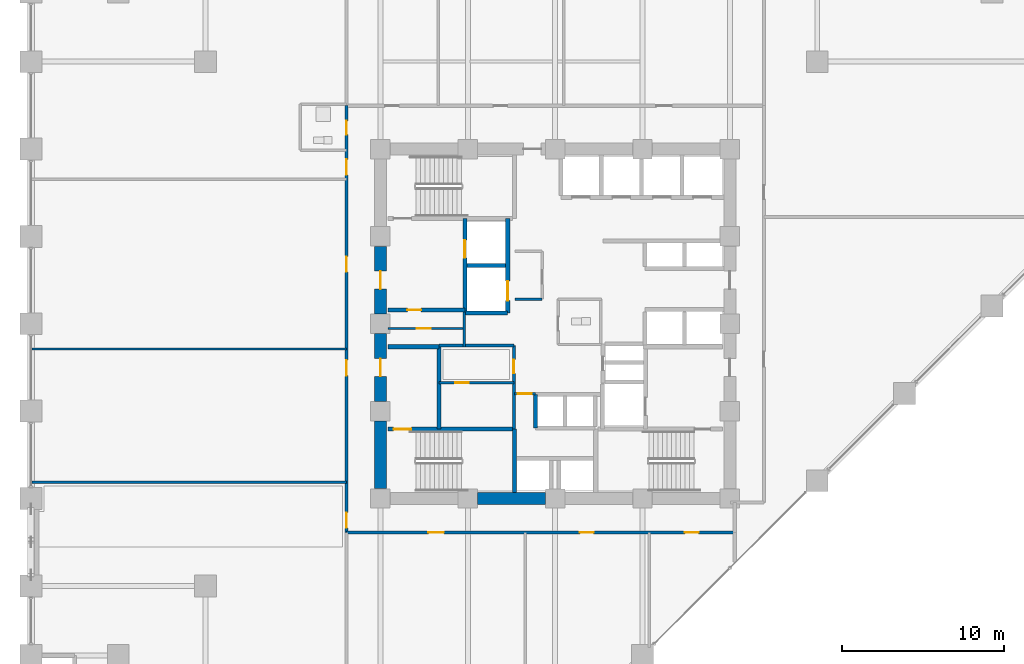
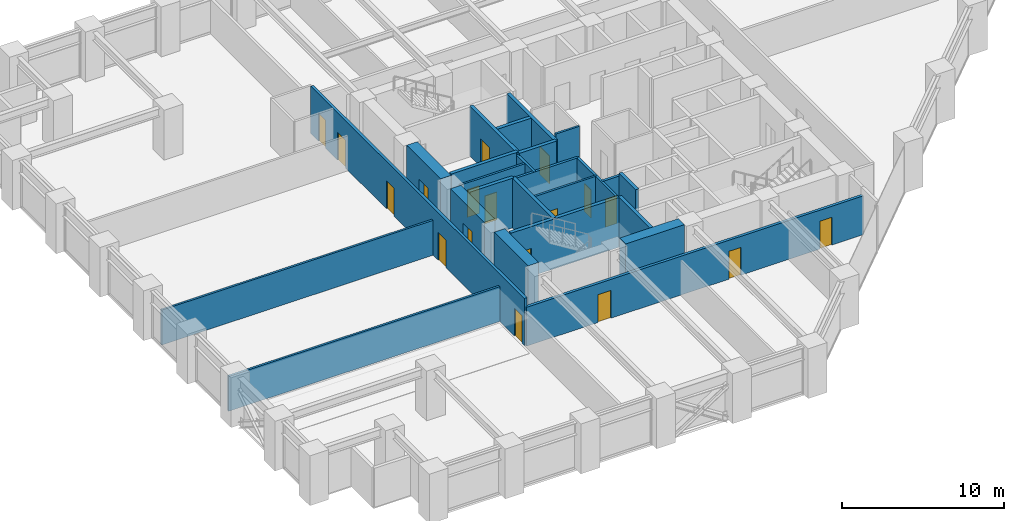
# One storey, part 20 of 25: 25 walls, 18 doors, 18 openings.
"""IFC4 building model written with IfcOpenShell, lengths in metres."""

import ifcopenshell
import ifcopenshell.guid

model = None  # the IFC model being written
_history = None  # IfcOwnerHistory: only IFC2X3 demands one
_inside = {}  # id of a spatial element -> (the spatial element, [elements in it])
_under = {}  # id of a project, library or spatial element -> (it, [spatial elements below it])
_declared = {}  # id of a project -> (the project, [libraries it declares])
_typed = {}  # id of a type object -> (the type object, [elements of that type])
_made_of = {}  # id of a material, layer set ... -> (it, [elements and type objects made of it])


def new_model(schema):
    """Start an empty IFC model of exactly this schema.

    Asked for "IFC4X3", IfcOpenShell would pick the latest addendum, in which some entities
    have other attributes; the version numbers below select the first issue.
    IFC2X3 requires an IfcOwnerHistory on every rooted entity: one is made here for all.
    """
    global model, _history
    if schema == "IFC4X3":
        model = ifcopenshell.file(schema_version=(4, 3, 0, 0))
    else:
        model = ifcopenshell.file(schema=schema)
    _inside.clear()
    _under.clear()
    _declared.clear()
    _typed.clear()
    _made_of.clear()
    _history = None
    if model.schema == "IFC2X3":
        org = make("IfcOrganization", Name="unknown")
        user = make(
            "IfcPersonAndOrganization",
            ThePerson=make("IfcPerson", FamilyName="unknown"),
            TheOrganization=org,
        )
        app = make(
            "IfcApplication",
            ApplicationDeveloper=org,
            Version="unknown",
            ApplicationFullName="unknown",
            ApplicationIdentifier="unknown",
        )
        _history = make(
            "IfcOwnerHistory",
            OwningUser=user,
            OwningApplication=app,
            ChangeAction="ADDED",
            CreationDate=0,
        )
    return model


def make(cls, **values):
    """One entity of the class cls with the attributes given. An attribute that is None is left unset."""
    return model.create_entity(
        cls, **{name: value for name, value in values.items() if value is not None}
    )


def rooted(cls, **values):
    """An entity with a GlobalId (a new one), such as an element, a storey or a relation."""
    return make(cls, GlobalId=ifcopenshell.guid.new(), OwnerHistory=_history, **values)


def si_unit(unit_type, name, prefix=None):
    """IfcSIUnit, for example si_unit("LENGTHUNIT", "METRE", prefix="MILLI")."""
    return make("IfcSIUnit", UnitType=unit_type, Prefix=prefix, Name=name)


def assignment(units):
    """IfcUnitAssignment: the units of a project."""
    return None if units is None else make("IfcUnitAssignment", Units=units)


def point(xyz):
    """IfcCartesianPoint."""
    return None if xyz is None else make("IfcCartesianPoint", Coordinates=xyz)


def direction(xyz):
    """IfcDirection."""
    return None if xyz is None else make("IfcDirection", DirectionRatios=xyz)


def frame(location, z_axis=None, x_axis=None):
    """IfcAxis2Placement3D, a coordinate frame: its origin and axes. An axis left out is left unset."""
    return make(
        "IfcAxis2Placement3D",
        Location=point(location),
        Axis=direction(z_axis),
        RefDirection=direction(x_axis),
    )


def frame_2d(location, x_axis=None):
    """IfcAxis2Placement2D, a coordinate frame in the plane: its origin and x axis."""
    return make(
        "IfcAxis2Placement2D", Location=point(location), RefDirection=direction(x_axis)
    )


def origin():
    """The frame at (0, 0, 0) with its axes left unset."""
    return frame((0.0, 0.0, 0.0))


def place(relative_to, where):
    """IfcLocalPlacement: puts the frame where relative to a parent placement (None: the world)."""
    return make(
        "IfcLocalPlacement", PlacementRelTo=relative_to, RelativePlacement=where
    )


def context(
    kind, dimensions, precision=None, world=None, true_north=None, identifier=None
):
    """IfcGeometricRepresentationContext, for example the 3D "Model" context."""
    return make(
        "IfcGeometricRepresentationContext",
        ContextIdentifier=identifier,
        ContextType=kind,
        CoordinateSpaceDimension=dimensions,
        Precision=precision,
        WorldCoordinateSystem=world,
        TrueNorth=true_north,
    )


def subcontext(parent, identifier, kind, view, scale=None):
    """IfcGeometricRepresentationSubContext, for example "Body" below "Model"."""
    return make(
        "IfcGeometricRepresentationSubContext",
        ContextIdentifier=identifier,
        ContextType=kind,
        ParentContext=parent,
        TargetScale=scale,
        TargetView=view,
    )


def project(units=None, contexts=None):
    """IfcProject with its units and contexts."""
    return rooted(
        "IfcProject",
        Name="project",
        RepresentationContexts=contexts,
        UnitsInContext=assignment(units),
    )


def spatial(cls, under=None, at=None, **own):
    """A site, building, storey or space (cls), placed at a placement, below another one or the project."""
    s = rooted(cls, ObjectPlacement=at, **own)
    if under is not None:
        _under.setdefault(under.id(), (under, []))[1].append(s)
    return s


def profile(cls, at=None, kind="AREA", **sizes):
    """A parametric profile (cls). Its sizes go by their IFC names, for example OverallWidth=200.0."""
    return make(cls, ProfileType=kind, Position=at, **sizes)


def rectangle(**sizes):
    """IfcRectangleProfileDef."""
    return profile("IfcRectangleProfileDef", **sizes)


def extrude(swept, where, along, depth):
    """IfcExtrudedAreaSolid: the profile swept, set in the frame where, extruded along a direction by depth."""
    return make(
        "IfcExtrudedAreaSolid",
        SweptArea=swept,
        Position=where,
        ExtrudedDirection=direction(along),
        Depth=depth,
    )


def shape(context_of_items, identifier, shape_type, items):
    """IfcShapeRepresentation: the items that make up one representation, for example the "Body"."""
    return make(
        "IfcShapeRepresentation",
        ContextOfItems=context_of_items,
        RepresentationIdentifier=identifier,
        RepresentationType=shape_type,
        Items=items,
    )


def material(Name=None, Category=None):
    """IfcMaterial."""
    return make("IfcMaterial", Name=Name, Category=Category)


def layer(
    of_material, thickness, ventilated=None, Name=None, Category=None, Priority=None
):
    """IfcMaterialLayer: one layer of a wall or slab, of a material (None: an air gap)."""
    return make(
        "IfcMaterialLayer",
        Material=of_material,
        LayerThickness=thickness,
        IsVentilated=ventilated,
        Name=Name,
        Category=Category,
        Priority=Priority,
    )


def layer_set(layers, Name=None):
    """IfcMaterialLayerSet."""
    return make("IfcMaterialLayerSet", MaterialLayers=layers, LayerSetName=Name)


def made_of(thing, what):
    """Note that an element or type object is made of a material, layer set ...; save() writes the relation."""
    if what is not None:
        _made_of.setdefault(what.id(), (what, []))[1].append(thing)
    return thing


def type_object(cls, material=None, **own):
    """A type object (cls), such as IfcWallType, which elements share."""
    return made_of(rooted(cls, **own), material)


def element(
    cls,
    number,
    at=None,
    inside=None,
    cuts=None,
    type_object=None,
    material=None,
    context=None,
    identifier="Body",
    shape_type=None,
    held_by="IfcProductDefinitionShape",
    body=None,
    shapes=None,
    **own,
):
    """One element of the class cls, such as IfcWall. Its Tag is "e" and its number.

    at: its placement. inside: the storey or other place that contains it. cuts: it is an
    opening in that element (IfcRelVoidsElement). A single representation is given by context,
    identifier, shape_type and body (its items); several are given by shapes. held_by: the class
    of the entity that holds the representations. save() writes the other relations.
    """
    e = rooted(cls, Tag="e%d" % number, ObjectPlacement=at, **own)
    if body is not None:
        shapes = [shape(context, identifier, shape_type, body)]
    if shapes is not None:
        e.Representation = make(held_by, Representations=shapes)
    if inside is not None:
        _inside.setdefault(inside.id(), (inside, []))[1].append(e)
    if cuts is not None:
        rooted(
            "IfcRelVoidsElement", RelatingBuildingElement=cuts, RelatedOpeningElement=e
        )
    if type_object is not None:
        _typed.setdefault(type_object.id(), (type_object, []))[1].append(e)
    return made_of(e, material)


def fill(opening, filler):
    """IfcRelFillsElement: the door or window that sits in an opening."""
    return rooted(
        "IfcRelFillsElement",
        RelatingOpeningElement=opening,
        RelatedBuildingElement=filler,
    )


def aggregate(whole, parts):
    """IfcRelAggregates: a whole, such as a stair, and the parts it consists of."""
    return rooted("IfcRelAggregates", RelatingObject=whole, RelatedObjects=parts)


def save(model, path):
    """Write the relations noted so far, then the file.

    IfcRelAggregates (storeys below a building ...), IfcRelContainedInSpatialStructure (elements
    in a storey), IfcRelDefinesByType, IfcRelAssociatesMaterial and IfcRelDeclares: one each for
    every whole, place, type object, material and project.
    """
    for whole, parts in _under.values():
        aggregate(whole, parts)
    for where, things in _inside.values():
        rooted(
            "IfcRelContainedInSpatialStructure",
            RelatedElements=things,
            RelatingStructure=where,
        )
    for kind, things in _typed.values():
        rooted("IfcRelDefinesByType", RelatedObjects=things, RelatingType=kind)
    for what, things in _made_of.values():
        rooted("IfcRelAssociatesMaterial", RelatedObjects=things, RelatingMaterial=what)
    for by, libraries in _declared.values():
        rooted("IfcRelDeclares", RelatingContext=by, RelatedDefinitions=libraries)
    model.write(path)


model = new_model("IFC4")

# Units and contexts
model_context = context("Model", 3, precision=1e-05, world=origin(), true_north=direction((0.0, 1.0)))
body_context = subcontext(model_context, "Body", "Model", "MODEL_VIEW")
ifc_project = project(units=[si_unit("LENGTHUNIT", "METRE"), si_unit("AREAUNIT", "SQUARE_METRE"), si_unit("VOLUMEUNIT", "CUBIC_METRE"), si_unit("PLANEANGLEUNIT", "RADIAN"), si_unit("MASSUNIT", "GRAM", prefix="KILO")], contexts=[model_context])

# Site, building, storey
site_placement = place(None, origin())
site = spatial("IfcSite", under=ifc_project, at=site_placement, CompositionType="ELEMENT")
building_placement = place(site_placement, origin())
building = spatial("IfcBuilding", under=site, at=building_placement, Name="Surkhivell Harbour Commons", CompositionType="ELEMENT")
storey_placement = place(building_placement, frame((0.0, 0.0, 48.75)))
storey = spatial("IfcBuildingStorey", under=building, at=storey_placement, Name="L12", CompositionType="ELEMENT", Elevation=48.75)

# Walls
ifc_material_1 = material(Name="Concrete C60/75", Category="concrete")
ifc_layer_1 = layer(ifc_material_1, 0.75)
ifc_layer_set_1 = layer_set([ifc_layer_1], Name="Concrete C60/75")
wall_type_1 = type_object("IfcWallType", Name="WAL-CORE-750", PredefinedType="SHEAR", material=ifc_layer_set_1)
for number, where, z_axis, x_axis, name in (
    (1, (-10.800048828125, -10.18994140625, 0.0), (0.0, 0.0, 1.0), (0.0, 1.0, 0.0), "L12 Core Shear Wall West 1"),
    (2, (-4.7900390625, -10.800048828125, 0.0), (0.0, 0.0, 1.0), (1.0, 0.0, 0.0), "L12 Core Shear Wall South 2"),
):
    element("IfcWall", number, at=place(storey_placement, frame(where, z_axis=z_axis, x_axis=x_axis)), inside=storey, type_object=wall_type_1, Name=name, PredefinedType="SHEAR", context=body_context, shape_type="SweptSolid", body=[
        extrude(rectangle(XDim=4.179931640625, YDim=0.75, at=frame_2d((2.08984375, 0.0))), origin(), (0.0, 0.0, 1.0), 3.75),
    ])

# Wall, opening, door
wall_1_placement = place(storey_placement, frame((-10.800048828125, -4.7900390625, 0.0), z_axis=(0.0, 0.0, 1.0), x_axis=(0.0, 1.0, 0.0)))
wall_1 = element("IfcWall", 3, at=wall_1_placement, inside=storey, type_object=wall_type_1, Name="L12 Core Shear Wall West 2", PredefinedType="SHEAR", context=body_context, shape_type="SweptSolid", body=[
    extrude(rectangle(XDim=4.179931640625, YDim=0.75, at=frame_2d((2.08984375, 0.0))), origin(), (0.0, 0.0, 1.0), 3.75),
])
opening_1_placement = place(wall_1_placement, frame((1.5400390625, 0.0, 0.0)))
opening_1 = element("IfcOpeningElement", 4, at=opening_1_placement, cuts=wall_1, Name="Opening ID-2", PredefinedType="OPENING", context=body_context, shape_type="SweptSolid", body=[
    extrude(rectangle(XDim=1.10009765625, YDim=2.10009765625, at=frame_2d((0.550048828125, 1.050048828125))), frame((0.0, 0.385009765625, 0.0), z_axis=(0.0, -1.0, 0.0), x_axis=(1.0, 0.0, 0.0)), (0.0, 0.0, 1.0), 0.77001953125),
])
ifc_material_2 = material(Name="Hardwood-veneered fire-rated door leaf", Category="wood")
door_type_1 = type_object("IfcDoorType", Name="DOR-FD60-1100", OperationType="NOTDEFINED", PredefinedType="DOOR", material=ifc_material_2)
door_1_placement = place(opening_1_placement, origin())
door_1 = element("IfcDoor", 5, at=door_1_placement, inside=storey, type_object=door_type_1, Name="L12 Stair 3 Lobby Corridor Door", OperationType="SINGLE_SWING_LEFT", OverallHeight=2.10009765625, OverallWidth=1.10009765625, PredefinedType="DOOR", context=body_context, shape_type="SweptSolid", body=[
    extrude(rectangle(XDim=1.10009765625, YDim=2.10009765625, at=frame_2d((0.550048828125, 1.050048828125))), frame((0.0, 0.02490234375, 0.0), z_axis=(0.0, -1.0, 0.0), x_axis=(1.0, 0.0, 0.0)), (0.0, 0.0, 1.0), 0.050048828125),
])
fill(opening_1, door_1)

wall_2_placement = place(storey_placement, frame((-10.800048828125, 0.610107421875, 0.0), z_axis=(0.0, 0.0, 1.0), x_axis=(0.0, 1.0, 0.0)))
wall_2 = element("IfcWall", 6, at=wall_2_placement, inside=storey, type_object=wall_type_1, Name="L12 Core Shear Wall West 3", PredefinedType="SHEAR", context=body_context, shape_type="SweptSolid", body=[
    extrude(rectangle(XDim=4.179931640625, YDim=0.75, at=frame_2d((2.08984375, 0.0))), origin(), (0.0, 0.0, 1.0), 3.75),
])
opening_2_placement = place(wall_2_placement, frame((1.5400390625, 0.0, 0.0)))
opening_2 = element("IfcOpeningElement", 7, at=opening_2_placement, cuts=wall_2, Name="Opening ID-1", PredefinedType="OPENING", context=body_context, shape_type="SweptSolid", body=[
    extrude(rectangle(XDim=1.10009765625, YDim=2.10009765625, at=frame_2d((0.550048828125, 1.050048828125))), frame((0.0, 0.385009765625, 0.0), z_axis=(0.0, -1.0, 0.0), x_axis=(1.0, 0.0, 0.0)), (0.0, 0.0, 1.0), 0.77001953125),
])
door_type_2 = type_object("IfcDoorType", Name="DOR-FD120-1100", OperationType="NOTDEFINED", PredefinedType="DOOR", material=ifc_material_2)
door_2_placement = place(opening_2_placement, origin())
door_2 = element("IfcDoor", 8, at=door_2_placement, inside=storey, type_object=door_type_2, Name="L12 Firefighting Lobby 1 Corridor Door", OperationType="SINGLE_SWING_LEFT", OverallHeight=2.10009765625, OverallWidth=1.10009765625, PredefinedType="DOOR", context=body_context, shape_type="SweptSolid", body=[
    extrude(rectangle(XDim=1.10009765625, YDim=2.10009765625, at=frame_2d((0.550048828125, 1.050048828125))), frame((0.0, 0.02490234375, 0.0), z_axis=(0.0, -1.0, 0.0), x_axis=(1.0, 0.0, 0.0)), (0.0, 0.0, 1.0), 0.050048828125),
])
fill(opening_2, door_2)

ifc_material_3 = material(Name="Twin-stud acoustic fireboard partition", Category="other")
ifc_layer_2 = layer(ifc_material_3, 0.14990234375)
ifc_layer_set_2 = layer_set([ifc_layer_2], Name="Twin-stud acoustic fireboard partition")
wall_type_2 = type_object("IfcWallType", Name="WAL-INT-150", PredefinedType="PARTITIONING", material=ifc_layer_set_2)
wall_3_placement = place(storey_placement, frame((-7.179931640625, -3.64990234375, 0.0), z_axis=(0.0, 0.0, 1.0), x_axis=(1.0, 0.0, 0.0)))
wall_3 = element("IfcWall", 9, at=wall_3_placement, inside=storey, type_object=wall_type_2, Name="L12 Core Cut C1 Partition", PredefinedType="PARTITIONING", context=body_context, shape_type="SweptSolid", body=[
    extrude(rectangle(XDim=4.6298828125, YDim=0.14990234375, at=frame_2d((2.31494140625, 0.0))), origin(), (0.0, 0.0, 1.0), 3.570068359375),
])
opening_3_placement = place(wall_3_placement, frame((1.0, 0.0, 0.0)))
opening_3 = element("IfcOpeningElement", 10, at=opening_3_placement, cuts=wall_3, Name="Opening ID-6", PredefinedType="OPENING", context=body_context, shape_type="SweptSolid", body=[
    extrude(rectangle(XDim=0.85009765625, YDim=2.10009765625, at=frame_2d((0.425048828125, 1.050048828125))), frame((0.0, 0.0849609375, 0.0), z_axis=(0.0, -1.0, 0.0), x_axis=(1.0, 0.0, 0.0)), (0.0, 0.0, 1.0), 0.169921875),
])
door_type_3 = type_object("IfcDoorType", Name="DOR-FD30-850", OperationType="NOTDEFINED", PredefinedType="DOOR", material=ifc_material_2)
door_3_placement = place(opening_3_placement, origin())
door_3 = element("IfcDoor", 11, at=door_3_placement, inside=storey, type_object=door_type_3, Name="L12 Cleaner Room Door", OperationType="SINGLE_SWING_LEFT", OverallHeight=2.10009765625, OverallWidth=0.85009765625, PredefinedType="DOOR", context=body_context, shape_type="SweptSolid", body=[
    extrude(rectangle(XDim=0.85009765625, YDim=2.10009765625, at=frame_2d((0.425048828125, 1.050048828125))), frame((0.0, 0.02490234375, 0.0), z_axis=(0.0, -1.0, 0.0), x_axis=(1.0, 0.0, 0.0)), (0.0, 0.0, 1.0), 0.050048828125),
])
fill(opening_3, door_3)

wall_4_placement = place(storey_placement, frame((-10.340087890625, -0.2900390625, 0.0), z_axis=(0.0, 0.0, 1.0), x_axis=(1.0, 0.0, 0.0)))
wall_4 = element("IfcWall", 12, at=wall_4_placement, inside=storey, type_object=wall_type_2, Name="L12 West Core Horizontal Cut", PredefinedType="PARTITIONING", context=body_context, shape_type="SweptSolid", body=[
    extrude(rectangle(XDim=4.719970703125, YDim=0.14990234375, at=frame_2d((2.35986328125, 0.0))), origin(), (0.0, 0.0, 1.0), 3.570068359375),
])
opening_4_placement = place(wall_4_placement, frame((1.800048828125, 0.0, 0.0)))
opening_4 = element("IfcOpeningElement", 13, at=opening_4_placement, cuts=wall_4, Name="Opening ID-6", PredefinedType="OPENING", context=body_context, shape_type="SweptSolid", body=[
    extrude(rectangle(XDim=0.85009765625, YDim=2.10009765625, at=frame_2d((0.425048828125, 1.050048828125))), frame((0.0, 0.0849609375, 0.0), z_axis=(0.0, -1.0, 0.0), x_axis=(1.0, 0.0, 0.0)), (0.0, 0.0, 1.0), 0.169921875),
])
door_4_placement = place(opening_4_placement, origin())
door_4 = element("IfcDoor", 14, at=door_4_placement, inside=storey, type_object=door_type_3, Name="L12 West Music Pod Door", OperationType="SINGLE_SWING_RIGHT", OverallHeight=2.10009765625, OverallWidth=0.85009765625, PredefinedType="DOOR", context=body_context, shape_type="SweptSolid", body=[
    extrude(rectangle(XDim=0.85009765625, YDim=2.10009765625, at=frame_2d((0.425048828125, 1.050048828125))), frame((0.0, 0.02490234375, 0.0), z_axis=(0.0, -1.0, 0.0), x_axis=(1.0, 0.0, 0.0)), (0.0, 0.0, 1.0), 0.050048828125),
])
fill(opening_4, door_4)

# Walls
wall_5_placement = place(storey_placement, frame((-2.47998046875, 1.52001953125, 0.0), z_axis=(0.0, 0.0, 1.0), x_axis=(1.0, 0.0, 0.0)))
element("IfcWall", 15, at=wall_5_placement, inside=storey, type_object=wall_type_2, Name="L12 Core Seminar South Wall", PredefinedType="PARTITIONING", context=body_context, shape_type="SweptSolid", body=[
    extrude(rectangle(XDim=1.679931640625, YDim=0.14990234375, at=frame_2d((0.83984375, 0.0))), origin(), (0.0, 0.0, 1.0), 3.570068359375),
])
for number, where, z_axis, x_axis, name in (
    (16, (-32.340087890625, -1.56005859375, 0.0), (0.0, 0.0, 1.0), (1.0, 0.0, 0.0), "L12 West Partition BDP1"),
    (17, (-32.340087890625, -9.800048828125, 0.0), (0.0, 0.0, 1.0), (1.0, 0.0, 0.0), "L12 West Partition PBOT"),
):
    element("IfcWall", number, at=place(storey_placement, frame(where, z_axis=z_axis, x_axis=x_axis)), inside=storey, type_object=wall_type_2, Name=name, PredefinedType="PARTITIONING", context=body_context, shape_type="SweptSolid", body=[
        extrude(rectangle(XDim=19.440185546875, YDim=0.14990234375, at=frame_2d((9.72021484375, 0.0))), origin(), (0.0, 0.0, 1.0), 2.62890625),
    ])

# Wall, opening, door
ifc_material_4 = material(Name="High-density acoustic blockwork fire partition", Category="masonry")
ifc_layer_3 = layer(ifc_material_4, 0.175048828125)
ifc_layer_set_3 = layer_set([ifc_layer_3], Name="High-density acoustic blockwork fire partition")
wall_type_3 = type_object("IfcWallType", Name="WAL-INT-175", PredefinedType="PARTITIONING", material=ifc_layer_set_3)
wall_6_placement = place(storey_placement, frame((-2.550048828125, -6.510009765625, 0.0), z_axis=(0.0, 0.0, 1.0), x_axis=(0.0, 1.0, 0.0)))
wall_6 = element("IfcWall", 18, at=wall_6_placement, inside=storey, type_object=wall_type_3, Name="L12 Core Service Bay East Wall", PredefinedType="PARTITIONING", context=body_context, shape_type="SweptSolid", body=[
    extrude(rectangle(XDim=5.159912109375, YDim=0.175048828125, at=frame_2d((2.580078125, 0.0))), origin(), (0.0, 0.0, 1.0), 3.570068359375),
])
opening_5_placement = place(wall_6_placement, frame((3.449951171875, 0.0, 0.0)))
opening_5 = element("IfcOpeningElement", 19, at=opening_5_placement, cuts=wall_6, Name="Opening ID-6", PredefinedType="OPENING", context=body_context, shape_type="SweptSolid", body=[
    extrude(rectangle(XDim=0.85009765625, YDim=2.10009765625, at=frame_2d((0.425048828125, 1.050048828125))), frame((0.0, 0.097412109375, 0.0), z_axis=(0.0, -1.0, 0.0), x_axis=(1.0, 0.0, 0.0)), (0.0, 0.0, 1.0), 0.195068359375),
])
door_5_placement = place(opening_5_placement, origin())
door_5 = element("IfcDoor", 20, at=door_5_placement, inside=storey, type_object=door_type_3, Name="L12 Core Seminar Door", OperationType="SINGLE_SWING_LEFT", OverallHeight=2.10009765625, OverallWidth=0.85009765625, PredefinedType="DOOR", context=body_context, shape_type="SweptSolid", body=[
    extrude(rectangle(XDim=0.85009765625, YDim=2.10009765625, at=frame_2d((0.425048828125, 1.050048828125))), frame((0.0, 0.02490234375, 0.0), z_axis=(0.0, -1.0, 0.0), x_axis=(1.0, 0.0, 0.0)), (0.0, 0.0, 1.0), 0.050048828125),
])
fill(opening_5, door_5)

# Walls
wall_7_placement = place(storey_placement, frame((-7.179931640625, -1.35009765625, 0.0), z_axis=(0.0, 0.0, 1.0), x_axis=(1.0, 0.0, 0.0)))
element("IfcWall", 21, at=wall_7_placement, inside=storey, type_object=wall_type_3, Name="L12 Core Service Bay North Wall", PredefinedType="PARTITIONING", context=body_context, shape_type="SweptSolid", body=[
    extrude(rectangle(XDim=4.6298828125, YDim=0.175048828125, at=frame_2d((2.31494140625, 0.0))), origin(), (0.0, 0.0, 1.0), 3.570068359375),
])
wall_8_placement = place(storey_placement, frame((-5.6201171875, -1.419921875, 0.0), z_axis=(0.0, 0.0, 1.0), x_axis=(0.0, 1.0, 0.0)))
element("IfcWall", 22, at=wall_8_placement, inside=storey, type_object=wall_type_3, Name="L12 West Core Bay East Wall", PredefinedType="PARTITIONING", context=body_context, shape_type="SweptSolid", body=[
    extrude(rectangle(XDim=2.139892578125, YDim=0.175048828125, at=frame_2d((1.06982421875, 0.0))), origin(), (0.0, 0.0, 1.0), 3.570068359375),
])

# Wall, opening, door
wall_9_placement = place(storey_placement, frame((-2.52001953125, -4.320068359375, 0.0), z_axis=(0.0, 0.0, 1.0), x_axis=(1.0, 0.0, 0.0)))
wall_9 = element("IfcWall", 23, at=wall_9_placement, inside=storey, type_object=wall_type_3, Name="L12 High-Rise Lobby North Portal Wall", PredefinedType="PARTITIONING", context=body_context, shape_type="SweptSolid", body=[
    extrude(rectangle(XDim=1.300048828125, YDim=0.175048828125, at=frame_2d((0.64990234375, 0.0))), origin(), (0.0, 0.0, 1.0), 3.570068359375),
])
opening_6_placement = place(wall_9_placement, frame((0.219970703125, 0.0, 0.0)))
opening_6 = element("IfcOpeningElement", 24, at=opening_6_placement, cuts=wall_9, Name="Opening ID-6", PredefinedType="OPENING", context=body_context, shape_type="SweptSolid", body=[
    extrude(rectangle(XDim=0.85009765625, YDim=2.10009765625, at=frame_2d((0.425048828125, 1.050048828125))), frame((0.0, 0.097412109375, 0.0), z_axis=(0.0, -1.0, 0.0), x_axis=(1.0, 0.0, 0.0)), (0.0, 0.0, 1.0), 0.195068359375),
])
door_6_placement = place(opening_6_placement, origin())
door_6 = element("IfcDoor", 25, at=door_6_placement, inside=storey, type_object=door_type_3, Name="L12 High-Rise Lift Lobby North Door", OperationType="SINGLE_SWING_LEFT", OverallHeight=2.10009765625, OverallWidth=0.85009765625, PredefinedType="DOOR", context=body_context, shape_type="SweptSolid", body=[
    extrude(rectangle(XDim=0.85009765625, YDim=2.10009765625, at=frame_2d((0.425048828125, 1.050048828125))), frame((0.0, 0.02490234375, 0.0), z_axis=(0.0, -1.0, 0.0), x_axis=(1.0, 0.0, 0.0)), (0.0, 0.0, 1.0), 0.050048828125),
])
fill(opening_6, door_6)

# Wall, openings, doors
ifc_material_5 = material(Name="Autoclaved aerated concrete blockwork and fire plaster", Category="masonry")
ifc_layer_4 = layer(ifc_material_5, 0.199951171875)
ifc_layer_set_4 = layer_set([ifc_layer_4], Name="Autoclaved aerated concrete blockwork and fire plaster")
wall_type_4 = type_object("IfcWallType", Name="WAL-INT-200", PredefinedType="PARTITIONING", material=ifc_layer_set_4)
wall_10_placement = place(storey_placement, frame((-12.89990234375, -12.89990234375, 0.0), z_axis=(0.0, 0.0, 1.0), x_axis=(1.0, 0.0, 0.0)))
wall_10 = element("IfcWall", 26, at=wall_10_placement, inside=storey, type_object=wall_type_4, Name="L12 Corridor South Wall", PredefinedType="PARTITIONING", context=body_context, shape_type="SweptSolid", body=[
    extrude(rectangle(XDim=24.0, YDim=0.199951171875, at=frame_2d((12.0, 0.0))), origin(), (0.0, 0.0, 1.0), 2.929931640625),
])
opening_7_placement = place(wall_10_placement, frame((5.070068359375, 0.0, 0.0)))
opening_7 = element("IfcOpeningElement", 27, at=opening_7_placement, cuts=wall_10, Name="Opening ID-4", PredefinedType="OPENING", context=body_context, shape_type="SweptSolid", body=[
    extrude(rectangle(XDim=0.949951171875, YDim=2.10009765625, at=frame_2d((0.47509765625, 1.050048828125))), frame((0.0, 0.10986328125, 0.0), z_axis=(0.0, -1.0, 0.0), x_axis=(1.0, 0.0, 0.0)), (0.0, 0.0, 1.0), 0.219970703125),
])
opening_8_placement = place(wall_10_placement, frame((14.429931640625, 0.0, 0.0)))
opening_8 = element("IfcOpeningElement", 28, at=opening_8_placement, cuts=wall_10, Name="Opening ID-6", PredefinedType="OPENING", context=body_context, shape_type="SweptSolid", body=[
    extrude(rectangle(XDim=0.85009765625, YDim=2.10009765625, at=frame_2d((0.425048828125, 1.050048828125))), frame((0.0, 0.10986328125, 0.0), z_axis=(0.0, -1.0, 0.0), x_axis=(1.0, 0.0, 0.0)), (0.0, 0.0, 1.0), 0.219970703125),
])
opening_9_placement = place(wall_10_placement, frame((20.909912109375, 0.0, 0.0)))
opening_9 = element("IfcOpeningElement", 29, at=opening_9_placement, cuts=wall_10, Name="Opening ID-6", PredefinedType="OPENING", context=body_context, shape_type="SweptSolid", body=[
    extrude(rectangle(XDim=0.85009765625, YDim=2.10009765625, at=frame_2d((0.425048828125, 1.050048828125))), frame((0.0, 0.10986328125, 0.0), z_axis=(0.0, -1.0, 0.0), x_axis=(1.0, 0.0, 0.0)), (0.0, 0.0, 1.0), 0.219970703125),
])
door_7_placement = place(opening_8_placement, origin())
door_7 = element("IfcDoor", 30, at=door_7_placement, inside=storey, type_object=door_type_3, Name="L12 Resident Social Lounge 2 South Door", OperationType="SINGLE_SWING_LEFT", OverallHeight=2.10009765625, OverallWidth=0.85009765625, PredefinedType="DOOR", context=body_context, shape_type="SweptSolid", body=[
    extrude(rectangle(XDim=0.85009765625, YDim=2.10009765625, at=frame_2d((0.425048828125, 1.050048828125))), frame((0.0, 0.02490234375, 0.0), z_axis=(0.0, -1.0, 0.0), x_axis=(1.0, 0.0, 0.0)), (0.0, 0.0, 1.0), 0.050048828125),
])
fill(opening_8, door_7)
door_8_placement = place(opening_9_placement, origin())
door_8 = element("IfcDoor", 31, at=door_8_placement, inside=storey, type_object=door_type_3, Name="L12 Resident Social Lounge 3 South Door", OperationType="SINGLE_SWING_RIGHT", OverallHeight=2.10009765625, OverallWidth=0.85009765625, PredefinedType="DOOR", context=body_context, shape_type="SweptSolid", body=[
    extrude(rectangle(XDim=0.85009765625, YDim=2.10009765625, at=frame_2d((0.425048828125, 1.050048828125))), frame((0.0, 0.02490234375, 0.0), z_axis=(0.0, -1.0, 0.0), x_axis=(1.0, 0.0, 0.0)), (0.0, 0.0, 1.0), 0.050048828125),
])
fill(opening_9, door_8)
door_type_4 = type_object("IfcDoorType", Name="DOR-FD60-950", OperationType="NOTDEFINED", PredefinedType="DOOR", material=ifc_material_2)
door_9_placement = place(opening_7_placement, origin())
door_9 = element("IfcDoor", 32, at=door_9_placement, inside=storey, type_object=door_type_4, Name="L12 Harbour Social Lounge South Door", OperationType="SINGLE_SWING_RIGHT", OverallHeight=2.10009765625, OverallWidth=0.949951171875, PredefinedType="DOOR", context=body_context, shape_type="SweptSolid", body=[
    extrude(rectangle(XDim=0.949951171875, YDim=2.10009765625, at=frame_2d((0.47509765625, 1.050048828125))), frame((0.0, 0.02490234375, 0.0), z_axis=(0.0, -1.0, 0.0), x_axis=(1.0, 0.0, 0.0)), (0.0, 0.0, 1.0), 0.050048828125),
])
fill(opening_7, door_9)

wall_11_placement = place(storey_placement, frame((-12.89990234375, -12.89990234375, 0.0), z_axis=(0.0, 0.0, 1.0), x_axis=(0.0, 1.0, 0.0)))
wall_11 = element("IfcWall", 33, at=wall_11_placement, inside=storey, type_object=wall_type_4, Name="L12 Corridor West Wall", PredefinedType="PARTITIONING", context=body_context, shape_type="SweptSolid", body=[
    extrude(rectangle(XDim=26.3798828125, YDim=0.199951171875, at=frame_2d((13.18994140625, 0.0))), origin(), (0.0, 0.0, 1.0), 3.570068359375),
])
opening_10_placement = place(wall_11_placement, frame((0.280029296875, 0.0, 0.0)))
opening_10 = element("IfcOpeningElement", 34, at=opening_10_placement, cuts=wall_11, Name="Opening ID-4", PredefinedType="OPENING", context=body_context, shape_type="SweptSolid", body=[
    extrude(rectangle(XDim=0.949951171875, YDim=2.10009765625, at=frame_2d((0.47509765625, 1.050048828125))), frame((0.0, 0.10986328125, 0.0), z_axis=(0.0, -1.0, 0.0), x_axis=(1.0, 0.0, 0.0)), (0.0, 0.0, 1.0), 0.219970703125),
])
opening_11_placement = place(wall_11_placement, frame((24.5849609375, 0.0, 0.0)))
opening_11 = element("IfcOpeningElement", 35, at=opening_11_placement, cuts=wall_11, Name="Opening ID-6", PredefinedType="OPENING", context=body_context, shape_type="SweptSolid", body=[
    extrude(rectangle(XDim=0.85009765625, YDim=2.10009765625, at=frame_2d((0.425048828125, 1.050048828125))), frame((0.0, 0.10986328125, 0.0), z_axis=(0.0, -1.0, 0.0), x_axis=(1.0, 0.0, 0.0)), (0.0, 0.0, 1.0), 0.219970703125),
])
opening_12_placement = place(wall_11_placement, frame((22.110107421875, 0.0, 0.0)))
opening_12 = element("IfcOpeningElement", 36, at=opening_12_placement, cuts=wall_11, Name="Opening ID-4", PredefinedType="OPENING", context=body_context, shape_type="SweptSolid", body=[
    extrude(rectangle(XDim=0.949951171875, YDim=2.10009765625, at=frame_2d((0.47509765625, 1.050048828125))), frame((0.0, 0.10986328125, 0.0), z_axis=(0.0, -1.0, 0.0), x_axis=(1.0, 0.0, 0.0)), (0.0, 0.0, 1.0), 0.219970703125),
])
opening_13_placement = place(wall_11_placement, frame((9.7021484375, 0.0, 0.0)))
opening_13 = element("IfcOpeningElement", 37, at=opening_13_placement, cuts=wall_11, Name="Opening ID-4", PredefinedType="OPENING", context=body_context, shape_type="SweptSolid", body=[
    extrude(rectangle(XDim=0.949951171875, YDim=2.10009765625, at=frame_2d((0.47509765625, 1.050048828125))), frame((0.0, 0.10986328125, 0.0), z_axis=(0.0, -1.0, 0.0), x_axis=(1.0, 0.0, 0.0)), (0.0, 0.0, 1.0), 0.219970703125),
])
opening_14_placement = place(wall_11_placement, frame((16.10498046875, 0.0, 0.0)))
opening_14 = element("IfcOpeningElement", 38, at=opening_14_placement, cuts=wall_11, Name="Opening ID-4", PredefinedType="OPENING", context=body_context, shape_type="SweptSolid", body=[
    extrude(rectangle(XDim=0.949951171875, YDim=2.10009765625, at=frame_2d((0.47509765625, 1.050048828125))), frame((0.0, 0.10986328125, 0.0), z_axis=(0.0, -1.0, 0.0), x_axis=(1.0, 0.0, 0.0)), (0.0, 0.0, 1.0), 0.219970703125),
])
door_10_placement = place(opening_11_placement, origin())
door_10 = element("IfcDoor", 39, at=door_10_placement, inside=storey, type_object=door_type_3, Name="L12 Communal Shower Bathroom West Door", OperationType="SINGLE_SWING_LEFT", OverallHeight=2.10009765625, OverallWidth=0.85009765625, PredefinedType="DOOR", context=body_context, shape_type="SweptSolid", body=[
    extrude(rectangle(XDim=0.85009765625, YDim=2.10009765625, at=frame_2d((0.425048828125, 1.050048828125))), frame((0.0, 0.02490234375, 0.0), z_axis=(0.0, -1.0, 0.0), x_axis=(1.0, 0.0, 0.0)), (0.0, 0.0, 1.0), 0.050048828125),
])
fill(opening_11, door_10)
door_11_placement = place(opening_10_placement, origin())
door_11 = element("IfcDoor", 40, at=door_11_placement, inside=storey, type_object=door_type_4, Name="L12 Shared Communal Kitchen West Door", OperationType="SINGLE_SWING_RIGHT", OverallHeight=2.10009765625, OverallWidth=0.949951171875, PredefinedType="DOOR", context=body_context, shape_type="SweptSolid", body=[
    extrude(rectangle(XDim=0.949951171875, YDim=2.10009765625, at=frame_2d((0.47509765625, 1.050048828125))), frame((0.0, 0.02490234375, 0.0), z_axis=(0.0, -1.0, 0.0), x_axis=(1.0, 0.0, 0.0)), (0.0, 0.0, 1.0), 0.050048828125),
])
fill(opening_10, door_11)
door_12_placement = place(opening_12_placement, origin())
door_12 = element("IfcDoor", 41, at=door_12_placement, inside=storey, type_object=door_type_4, Name="L12 Academic Reading Commons West Door", OperationType="SINGLE_SWING_RIGHT", OverallHeight=2.10009765625, OverallWidth=0.949951171875, PredefinedType="DOOR", context=body_context, shape_type="SweptSolid", body=[
    extrude(rectangle(XDim=0.949951171875, YDim=2.10009765625, at=frame_2d((0.47509765625, 1.050048828125))), frame((0.0, 0.02490234375, 0.0), z_axis=(0.0, -1.0, 0.0), x_axis=(1.0, 0.0, 0.0)), (0.0, 0.0, 1.0), 0.050048828125),
])
fill(opening_12, door_12)
door_13_placement = place(opening_13_placement, origin())
door_13 = element("IfcDoor", 42, at=door_13_placement, inside=storey, type_object=door_type_4, Name="L12 Hostel Cluster Bedroom 1 West Door", OperationType="SINGLE_SWING_LEFT", OverallHeight=2.10009765625, OverallWidth=0.949951171875, PredefinedType="DOOR", context=body_context, shape_type="SweptSolid", body=[
    extrude(rectangle(XDim=0.949951171875, YDim=2.10009765625, at=frame_2d((0.47509765625, 1.050048828125))), frame((0.0, 0.02490234375, 0.0), z_axis=(0.0, -1.0, 0.0), x_axis=(1.0, 0.0, 0.0)), (0.0, 0.0, 1.0), 0.050048828125),
])
fill(opening_13, door_13)
door_14_placement = place(opening_14_placement, origin())
door_14 = element("IfcDoor", 43, at=door_14_placement, inside=storey, type_object=door_type_4, Name="L12 Co-Living Dormitory Bedroom 2 West Door", OperationType="SINGLE_SWING_RIGHT", OverallHeight=2.10009765625, OverallWidth=0.949951171875, PredefinedType="DOOR", context=body_context, shape_type="SweptSolid", body=[
    extrude(rectangle(XDim=0.949951171875, YDim=2.10009765625, at=frame_2d((0.47509765625, 1.050048828125))), frame((0.0, 0.02490234375, 0.0), z_axis=(0.0, -1.0, 0.0), x_axis=(1.0, 0.0, 0.0)), (0.0, 0.0, 1.0), 0.050048828125),
])
fill(opening_14, door_14)

# Wall, opening, door
ifc_material_6 = material(Name="Concrete C50/60", Category="concrete")
ifc_layer_5 = layer(ifc_material_6, 0.25)
ifc_layer_set_5 = layer_set([ifc_layer_5], Name="Concrete C50/60")
wall_type_5 = type_object("IfcWallType", Name="WAL-SHAFT-250", PredefinedType="SHEAR", material=ifc_layer_set_5)
wall_12_placement = place(storey_placement, frame((-5.580078125, 0.719970703125, 0.0), z_axis=(0.0, 0.0, 1.0), x_axis=(0.0, 1.0, 0.0)))
wall_12 = element("IfcWall", 44, at=wall_12_placement, inside=storey, type_object=wall_type_5, Name="L12 Firefighting Lobby 1 East Shaft Wall", PredefinedType="SHEAR", context=body_context, shape_type="SweptSolid", body=[
    extrude(rectangle(XDim=5.7900390625, YDim=0.25, at=frame_2d((2.89501953125, 0.0))), origin(), (0.0, 0.0, 1.0), 3.75),
])
opening_15_placement = place(wall_12_placement, frame((3.35009765625, 0.0, 0.0)))
opening_15 = element("IfcOpeningElement", 45, at=opening_15_placement, cuts=wall_12, Name="Opening LD-1", PredefinedType="OPENING", context=body_context, shape_type="SweptSolid", body=[
    extrude(rectangle(XDim=1.10009765625, YDim=2.10009765625, at=frame_2d((0.550048828125, 1.050048828125))), frame((0.0, 0.135009765625, 0.0), z_axis=(0.0, -1.0, 0.0), x_axis=(1.0, 0.0, 0.0)), (0.0, 0.0, 1.0), 0.27001953125),
])
ifc_material_7 = material(Name="Brushed stainless steel S355", Category="steel")
door_type_5 = type_object("IfcDoorType", Name="DOR-LD-1100", OperationType="SLIDING_TO_LEFT", PredefinedType="DOOR", material=ifc_material_7)
door_15_placement = place(opening_15_placement, origin())
door_15 = element("IfcDoor", 46, at=door_15_placement, inside=storey, type_object=door_type_5, Name="L12 Lift Landing Door LD-FFL1", OperationType="SLIDING_TO_LEFT", OverallHeight=2.10009765625, OverallWidth=1.10009765625, PredefinedType="DOOR", context=body_context, shape_type="SweptSolid", body=[
    extrude(rectangle(XDim=1.10009765625, YDim=2.10009765625, at=frame_2d((0.550048828125, 1.050048828125))), frame((0.0, 0.02490234375, 0.0), z_axis=(0.0, -1.0, 0.0), x_axis=(1.0, 0.0, 0.0)), (0.0, 0.0, 1.0), 0.050048828125),
])
fill(opening_15, door_15)

wall_13_placement = place(storey_placement, frame((-10.340087890625, 0.85009765625, 0.0), z_axis=(0.0, 0.0, 1.0), x_axis=(1.0, 0.0, 0.0)))
wall_13 = element("IfcWall", 47, at=wall_13_placement, inside=storey, type_object=wall_type_5, Name="L12 Firefighting Lobby 1 South Wall", PredefinedType="SHEAR", context=body_context, shape_type="SweptSolid", body=[
    extrude(rectangle(XDim=4.760009765625, YDim=0.25, at=frame_2d((2.3798828125, 0.0))), origin(), (0.0, 0.0, 1.0), 3.75),
])
opening_16_placement = place(wall_13_placement, frame((1.199951171875, 0.0, 0.0)))
opening_16 = element("IfcOpeningElement", 48, at=opening_16_placement, cuts=wall_13, Name="Opening ID-6", PredefinedType="OPENING", context=body_context, shape_type="SweptSolid", body=[
    extrude(rectangle(XDim=0.85009765625, YDim=2.10009765625, at=frame_2d((0.425048828125, 1.050048828125))), frame((0.0, 0.135009765625, 0.0), z_axis=(0.0, -1.0, 0.0), x_axis=(1.0, 0.0, 0.0)), (0.0, 0.0, 1.0), 0.27001953125),
])
door_16_placement = place(opening_16_placement, origin())
door_16 = element("IfcDoor", 49, at=door_16_placement, inside=storey, type_object=door_type_3, Name="L12 West Reading Alcove Door", OperationType="SINGLE_SWING_LEFT", OverallHeight=2.10009765625, OverallWidth=0.85009765625, PredefinedType="DOOR", context=body_context, shape_type="SweptSolid", body=[
    extrude(rectangle(XDim=0.85009765625, YDim=2.10009765625, at=frame_2d((0.425048828125, 1.050048828125))), frame((0.0, 0.02490234375, 0.0), z_axis=(0.0, -1.0, 0.0), x_axis=(1.0, 0.0, 0.0)), (0.0, 0.0, 1.0), 0.050048828125),
])
fill(opening_16, door_16)

# Walls
wall_14_placement = place(storey_placement, frame((-1.219970703125, -6.43994140625, 0.0), z_axis=(0.0, 0.0, 1.0), x_axis=(0.0, 1.0, 0.0)))
element("IfcWall", 50, at=wall_14_placement, inside=storey, type_object=wall_type_5, Name="L12 High-Rise Passage East Shaft Wall", PredefinedType="SHEAR", context=body_context, shape_type="SweptSolid", body=[
    extrude(rectangle(XDim=2.079833984375, YDim=0.25, at=frame_2d((1.0400390625, 0.0))), origin(), (0.0, 0.0, 1.0), 3.75),
])
wall_15_placement = place(storey_placement, frame((-2.510009765625, -10.425048828125, 0.0), z_axis=(0.0, 0.0, 1.0), x_axis=(0.0, 1.0, 0.0)))
element("IfcWall", 51, at=wall_15_placement, inside=storey, type_object=wall_type_5, Name="L12 Stair ST3 East Shear Wall", PredefinedType="SHEAR", context=body_context, shape_type="SweptSolid", body=[
    extrude(rectangle(XDim=3.9150390625, YDim=0.25, at=frame_2d((1.95751953125, 0.0))), origin(), (0.0, 0.0, 1.0), 3.75),
])
wall_16_placement = place(storey_placement, frame((-7.179931640625, -6.510009765625, 0.0), z_axis=(0.0, 0.0, 1.0), x_axis=(0.0, 1.0, 0.0)))
element("IfcWall", 52, at=wall_16_placement, inside=storey, type_object=wall_type_5, Name="L12 Stair 3 Lobby East Wall", PredefinedType="SHEAR", context=body_context, shape_type="SweptSolid", body=[
    extrude(rectangle(XDim=5.090087890625, YDim=0.25, at=frame_2d((2.544921875, 0.0))), origin(), (0.0, 0.0, 1.0), 3.75),
])
wall_17_placement = place(storey_placement, frame((-10.340087890625, -1.419921875, 0.0), z_axis=(0.0, 0.0, 1.0), x_axis=(1.0, 0.0, 0.0)))
element("IfcWall", 53, at=wall_17_placement, inside=storey, type_object=wall_type_5, Name="L12 Stair 3 Lobby North Wall", PredefinedType="SHEAR", context=body_context, shape_type="SweptSolid", body=[
    extrude(rectangle(XDim=3.16015625, YDim=0.25, at=frame_2d((1.580078125, 0.0))), origin(), (0.0, 0.0, 1.0), 3.75),
])

# Wall, opening, door
wall_18_placement = place(storey_placement, frame((-10.340087890625, -6.510009765625, 0.0), z_axis=(0.0, 0.0, 1.0), x_axis=(1.0, 0.0, 0.0)))
wall_18 = element("IfcWall", 54, at=wall_18_placement, inside=storey, type_object=wall_type_5, Name="L12 Stair ST3 North Shear Wall", PredefinedType="SHEAR", context=body_context, shape_type="SweptSolid", body=[
    extrude(rectangle(XDim=7.7001953125, YDim=0.25, at=frame_2d((3.85009765625, 0.0))), origin(), (0.0, 0.0, 1.0), 3.75),
])
opening_17_placement = place(wall_18_placement, frame((0.35009765625, 0.0, 0.0)))
opening_17 = element("IfcOpeningElement", 55, at=opening_17_placement, cuts=wall_18, Name="Opening ID-2", PredefinedType="OPENING", context=body_context, shape_type="SweptSolid", body=[
    extrude(rectangle(XDim=1.10009765625, YDim=2.10009765625, at=frame_2d((0.550048828125, 1.050048828125))), frame((0.0, 0.135009765625, 0.0), z_axis=(0.0, -1.0, 0.0), x_axis=(1.0, 0.0, 0.0)), (0.0, 0.0, 1.0), 0.27001953125),
])
door_17_placement = place(opening_17_placement, origin())
door_17 = element("IfcDoor", 56, at=door_17_placement, inside=storey, type_object=door_type_1, Name="L12 Stair ST3 Exit Door", OperationType="SINGLE_SWING_RIGHT", OverallHeight=2.10009765625, OverallWidth=1.10009765625, PredefinedType="DOOR", context=body_context, shape_type="SweptSolid", body=[
    extrude(rectangle(XDim=1.10009765625, YDim=2.10009765625, at=frame_2d((0.550048828125, 1.050048828125))), frame((0.0, 0.02490234375, 0.0), z_axis=(0.0, -1.0, 0.0), x_axis=(1.0, 0.0, 0.0)), (0.0, 0.0, 1.0), 0.050048828125),
])
fill(opening_17, door_17)

wall_19_placement = place(storey_placement, frame((-2.929931640625, 0.679931640625, 0.0), z_axis=(0.0, 0.0, 1.0), x_axis=(0.0, 1.0, 0.0)))
wall_19 = element("IfcWall", 57, at=wall_19_placement, inside=storey, type_object=wall_type_5, Name="L12 Service and Fire Lift East Shaft Wall", PredefinedType="SHEAR", context=body_context, shape_type="SweptSolid", body=[
    extrude(rectangle(XDim=5.830078125, YDim=0.25, at=frame_2d((2.9150390625, 0.0))), origin(), (0.0, 0.0, 1.0), 3.75),
])
opening_18_placement = place(wall_19_placement, frame((0.75, 0.0, 0.0)))
opening_18 = element("IfcOpeningElement", 58, at=opening_18_placement, cuts=wall_19, Name="Opening LD-2", PredefinedType="OPENING", context=body_context, shape_type="SweptSolid", body=[
    extrude(rectangle(XDim=1.199951171875, YDim=2.10009765625, at=frame_2d((0.60009765625, 1.050048828125))), frame((0.0, 0.135009765625, 0.0), z_axis=(0.0, -1.0, 0.0), x_axis=(1.0, 0.0, 0.0)), (0.0, 0.0, 1.0), 0.27001953125),
])
door_type_6 = type_object("IfcDoorType", Name="DOR-LD-1200", OperationType="SLIDING_TO_LEFT", PredefinedType="DOOR", material=ifc_material_7)
door_18_placement = place(opening_18_placement, origin())
door_18 = element("IfcDoor", 59, at=door_18_placement, inside=storey, type_object=door_type_6, Name="L12 Lift Landing Door LD-SVL1", OperationType="SLIDING_TO_LEFT", OverallHeight=2.10009765625, OverallWidth=1.199951171875, PredefinedType="DOOR", context=body_context, shape_type="SweptSolid", body=[
    extrude(rectangle(XDim=1.199951171875, YDim=2.10009765625, at=frame_2d((0.60009765625, 1.050048828125))), frame((0.0, 0.02490234375, 0.0), z_axis=(0.0, -1.0, 0.0), x_axis=(1.0, 0.0, 0.0)), (0.0, 0.0, 1.0), 0.050048828125),
])
fill(opening_18, door_18)

# Walls
wall_20_placement = place(storey_placement, frame((-5.449951171875, 3.60009765625, 0.0), z_axis=(0.0, 0.0, 1.0), x_axis=(1.0, 0.0, 0.0)))
element("IfcWall", 60, at=wall_20_placement, inside=storey, type_object=wall_type_5, Name="L12 FFL1/SVL1 Shaft Divider", PredefinedType="SHEAR", context=body_context, shape_type="SweptSolid", body=[
    extrude(rectangle(XDim=2.389892578125, YDim=0.25, at=frame_2d((1.19482421875, 0.0))), origin(), (0.0, 0.0, 1.0), 3.75),
])
wall_21_placement = place(storey_placement, frame((-5.580078125, 0.679931640625, 0.0), z_axis=(0.0, 0.0, 1.0), x_axis=(1.0, 0.0, 0.0)))
element("IfcWall", 61, at=wall_21_placement, inside=storey, type_object=wall_type_5, Name="L12 SVL1 South Shaft Wall", PredefinedType="SHEAR", context=body_context, shape_type="SweptSolid", body=[
    extrude(rectangle(XDim=2.650146484375, YDim=0.25, at=frame_2d((1.3251953125, 0.0))), origin(), (0.0, 0.0, 1.0), 3.75),
])

save(model, "model.ifc")
